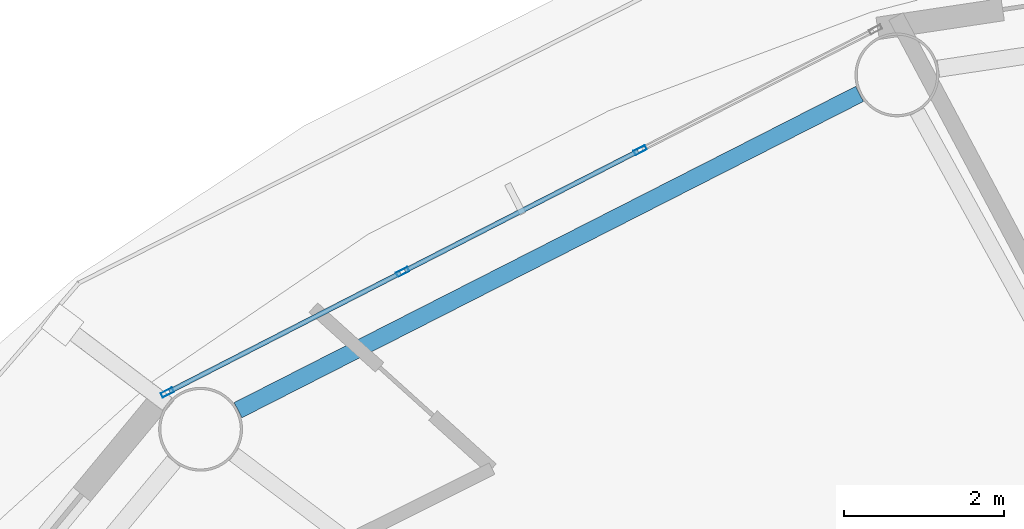
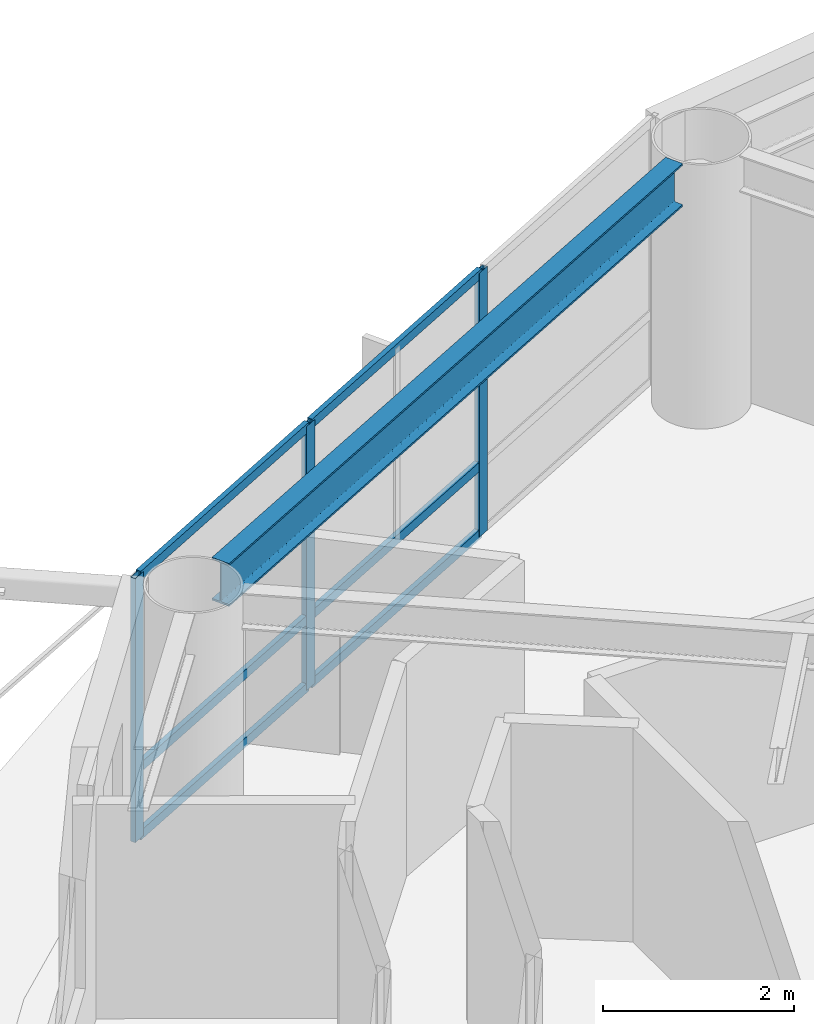
# One storey, part 11 of 27: 9 members, 1 beam, 1 element without a shape of its own.
"""IFC4 building model written with IfcOpenShell, lengths in metres."""

from ifc_helpers import new_model, si_unit, direction, frame, origin, origin_2d, place, context, subcontext, project, spatial, hollow_rectangle, i_section, extrude, material, layer, layer_set, material_profile, profile_set, type_object, element, aggregate, save


model = new_model("IFC4")

# Units and contexts
model_context = context("Model", 3, precision=1e-05, world=origin(), true_north=direction((0.0, 1.0)))
body_context = subcontext(model_context, "Body", "Model", "MODEL_VIEW")
ifc_project = project(units=[si_unit("LENGTHUNIT", "METRE"), si_unit("AREAUNIT", "SQUARE_METRE"), si_unit("VOLUMEUNIT", "CUBIC_METRE"), si_unit("PLANEANGLEUNIT", "RADIAN"), si_unit("MASSUNIT", "GRAM", prefix="KILO")], contexts=[model_context])

# Site, building, storey
site_placement = place(None, origin())
site = spatial("IfcSite", under=ifc_project, at=site_placement, CompositionType="ELEMENT")
building_placement = place(site_placement, origin())
building = spatial("IfcBuilding", under=site, at=building_placement, Name="Sarneth Arch Tower", CompositionType="ELEMENT")
storey_placement = place(building_placement, frame((0.0, 0.0, 157.800048828125)))
storey = spatial("IfcBuildingStorey", under=building, at=storey_placement, Name="L39", CompositionType="ELEMENT", Elevation=157.800048828125)

# Beam
ifc_material_1 = material(Name="Steel S355", Category="steel")
ifc_material_profile_1 = material_profile(ifc_material_1, i_section(OverallWidth=0.214111328125, OverallDepth=0.549072265625, WebThickness=0.0146484375, FlangeThickness=0.023681640625, FilletRadius=0.01806640625, at=origin_2d()), Name="W530x138")
ifc_profile_set_1 = profile_set([ifc_material_profile_1], Name="Steel S355")
beam_type = type_object("IfcBeamType", Name="BM-RAD-530A", PredefinedType="BEAM", material=ifc_profile_set_1)
beam_placement = place(storey_placement, frame((37.1103515625, 60.6552734375, 3.10546875), z_axis=(-0.891254220899, -0.453504039374, 0.0), x_axis=(0.453504039374, -0.891254220899, 0.0)))
element("IfcBeam", 1, at=beam_placement, inside=storey, type_object=beam_type, Name="L39 Perimeter spandrel beam 06", PredefinedType="BEAM", context=body_context, shape_type="SweptSolid", body=[
    extrude(i_section(OverallWidth=0.214111328125, OverallDepth=0.549072265625, WebThickness=0.0146484375, FlangeThickness=0.023681640625, FilletRadius=0.01806640625, at=origin_2d()), origin(), (0.0, 0.0, 1.0), 8.724853515625),
])

# Curtain wall, members
ifc_material_2 = material(Name="Anodised aluminium Type AA25 and solar-control low-e laminated IGU", Category="aluminium")
ifc_layer = layer(ifc_material_2, 0.169921875)
ifc_layer_set = layer_set([ifc_layer], Name="Anodised aluminium Type AA25 and solar-control low-e laminated IGU")
curtain_wall_type = type_object("IfcCurtainWallType", Name="CW-RES-MID", PredefinedType="NOTDEFINED", material=ifc_layer_set)
curtain_wall_placement = place(storey_placement, origin())
curtain_wall = element("IfcCurtainWall", 2, at=curtain_wall_placement, inside=storey, type_object=curtain_wall_type, Name="L39 Unitised curtain wall facet 06", PredefinedType="NOTDEFINED")
ifc_material_3 = material(Name="Anodised Aluminium 6063-T6", Category="aluminium")
ifc_material_profile_2 = material_profile(ifc_material_3, hollow_rectangle(XDim=0.06005859375, YDim=0.159912109375, WallThickness=0.00390625, at=origin_2d()), Name="AL-MULL-160x60x4")
ifc_profile_set_2 = profile_set([ifc_material_profile_2], Name="Anodised Aluminium 6063-T6")
member_type_1 = type_object("IfcMemberType", Name="CW-MULLION", PredefinedType="MULLION", material=ifc_profile_set_2)
member_1_placement = place(storey_placement, frame((34.365966796875, 59.9521484375, 0.0), z_axis=(0.0, 0.0, 1.0), x_axis=(0.456208470329, -0.88987293003, 0.0)))
member_1 = element("IfcMember", 3, at=member_1_placement, type_object=member_type_1, Name="CW-SYS-5 mullion 2", PredefinedType="MULLION", context=body_context, shape_type="SweptSolid", body=[
    extrude(hollow_rectangle(XDim=0.06005859375, YDim=0.159912109375, WallThickness=0.00390625, at=origin_2d()), origin(), (0.0, 0.0, 1.0), 3.3798828125),
])
member_2_placement = place(storey_placement, frame((31.39501953125, 58.428955078125, 0.0), z_axis=(0.0, 0.0, 1.0), x_axis=(0.456208470329, -0.88987293003, 0.0)))
member_2 = element("IfcMember", 4, at=member_2_placement, type_object=member_type_1, Name="CW-SYS-5 mullion 3", PredefinedType="MULLION", context=body_context, shape_type="SweptSolid", body=[
    extrude(hollow_rectangle(XDim=0.06005859375, YDim=0.159912109375, WallThickness=0.00390625, at=origin_2d()), origin(), (0.0, 0.0, 1.0), 3.3798828125),
])
member_3_placement = place(storey_placement, frame((28.450439453125, 56.91943359375, 0.0), z_axis=(0.0, 0.0, 1.0), x_axis=(0.456208470329, -0.88987293003, 0.0)))
member_3 = element("IfcMember", 5, at=member_3_placement, type_object=member_type_1, Name="CW-SYS-5 mullion 4", PredefinedType="MULLION", context=body_context, shape_type="SweptSolid", body=[
    extrude(hollow_rectangle(XDim=0.06005859375, YDim=0.159912109375, WallThickness=0.00390625, at=origin_2d()), origin(), (0.0, 0.0, 1.0), 3.3798828125),
])
ifc_material_4 = material(Name="Anodised Aluminium 6063-T6", Category="aluminium")
ifc_material_profile_3 = material_profile(ifc_material_4, hollow_rectangle(XDim=0.06005859375, YDim=0.1201171875, WallThickness=0.00390625, at=origin_2d()), Name="AL-TRAN-120x60x4")
ifc_profile_set_3 = profile_set([ifc_material_profile_3], Name="Anodised Aluminium 6063-T6")
member_type_2 = type_object("IfcMemberType", Name="CW-TRANSOM", PredefinedType="USERDEFINED", material=ifc_profile_set_3)
member_4_placement = place(storey_placement, frame((34.33935546875, 59.9384765625, 0.030029296875), z_axis=(-0.889869396751, -0.45621536222, 0.0), x_axis=(0.45621536222, -0.889869396751, 0.0)))
member_4 = element("IfcMember", 6, at=member_4_placement, type_object=member_type_2, Name="CW-SYS-5 transom 2.1", ObjectType="TRANSOM", PredefinedType="USERDEFINED", context=body_context, shape_type="SweptSolid", body=[
    extrude(hollow_rectangle(XDim=0.06005859375, YDim=0.1201171875, WallThickness=0.00390625, at=origin_2d()), origin(), (0.0, 0.0, 1.0), 3.27880859375),
])
member_5_placement = place(storey_placement, frame((34.33935546875, 59.9384765625, 0.89990234375), z_axis=(-0.889869396751, -0.45621536222, 0.0), x_axis=(0.45621536222, -0.889869396751, 0.0)))
member_5 = element("IfcMember", 7, at=member_5_placement, type_object=member_type_2, Name="CW-SYS-5 transom 2.2", ObjectType="TRANSOM", PredefinedType="USERDEFINED", context=body_context, shape_type="SweptSolid", body=[
    extrude(hollow_rectangle(XDim=0.06005859375, YDim=0.1201171875, WallThickness=0.00390625, at=origin_2d()), origin(), (0.0, 0.0, 1.0), 3.27880859375),
])
member_6_placement = place(storey_placement, frame((34.33935546875, 59.9384765625, 3.349853515625), z_axis=(-0.889869396751, -0.45621536222, 0.0), x_axis=(0.45621536222, -0.889869396751, 0.0)))
member_6 = element("IfcMember", 8, at=member_6_placement, type_object=member_type_2, Name="CW-SYS-5 transom 2.3", ObjectType="TRANSOM", PredefinedType="USERDEFINED", context=body_context, shape_type="SweptSolid", body=[
    extrude(hollow_rectangle(XDim=0.06005859375, YDim=0.1201171875, WallThickness=0.00390625, at=origin_2d()), origin(), (0.0, 0.0, 1.0), 3.27880859375),
])
member_7_placement = place(storey_placement, frame((31.3681640625, 58.415283203125, 0.030029296875), z_axis=(-0.889857362344, -0.456238835131, 0.0), x_axis=(0.456238835131, -0.889857362344, 0.0)))
member_7 = element("IfcMember", 9, at=member_7_placement, type_object=member_type_2, Name="CW-SYS-5 transom 3.1", ObjectType="TRANSOM", PredefinedType="USERDEFINED", context=body_context, shape_type="SweptSolid", body=[
    extrude(hollow_rectangle(XDim=0.06005859375, YDim=0.1201171875, WallThickness=0.00390625, at=origin_2d()), origin(), (0.0, 0.0, 1.0), 3.248779296875),
])
member_8_placement = place(storey_placement, frame((31.3681640625, 58.415283203125, 0.89990234375), z_axis=(-0.889857362344, -0.456238835131, 0.0), x_axis=(0.456238835131, -0.889857362344, 0.0)))
member_8 = element("IfcMember", 10, at=member_8_placement, type_object=member_type_2, Name="CW-SYS-5 transom 3.2", ObjectType="TRANSOM", PredefinedType="USERDEFINED", context=body_context, shape_type="SweptSolid", body=[
    extrude(hollow_rectangle(XDim=0.06005859375, YDim=0.1201171875, WallThickness=0.00390625, at=origin_2d()), origin(), (0.0, 0.0, 1.0), 3.248779296875),
])
member_9_placement = place(storey_placement, frame((31.3681640625, 58.415283203125, 3.349853515625), z_axis=(-0.889857362344, -0.456238835131, 0.0), x_axis=(0.456238835131, -0.889857362344, 0.0)))
member_9 = element("IfcMember", 11, at=member_9_placement, type_object=member_type_2, Name="CW-SYS-5 transom 3.3", ObjectType="TRANSOM", PredefinedType="USERDEFINED", context=body_context, shape_type="SweptSolid", body=[
    extrude(hollow_rectangle(XDim=0.06005859375, YDim=0.1201171875, WallThickness=0.00390625, at=origin_2d()), origin(), (0.0, 0.0, 1.0), 3.248779296875),
])
aggregate(curtain_wall, [member_1, member_2, member_3, member_4, member_5, member_6, member_7, member_8, member_9])

save(model, "model.ifc")
